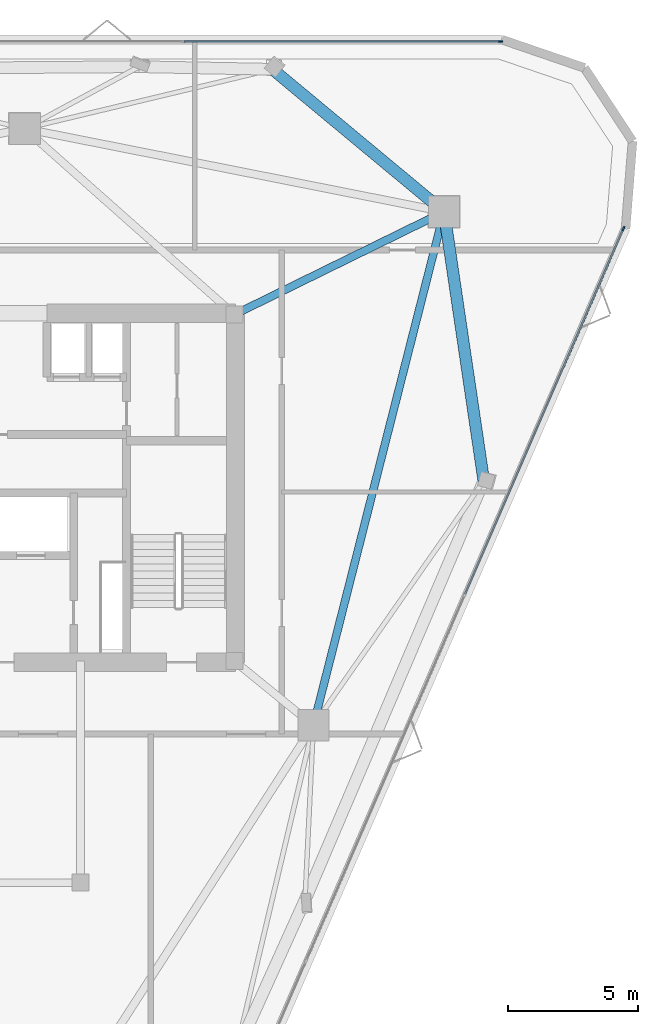
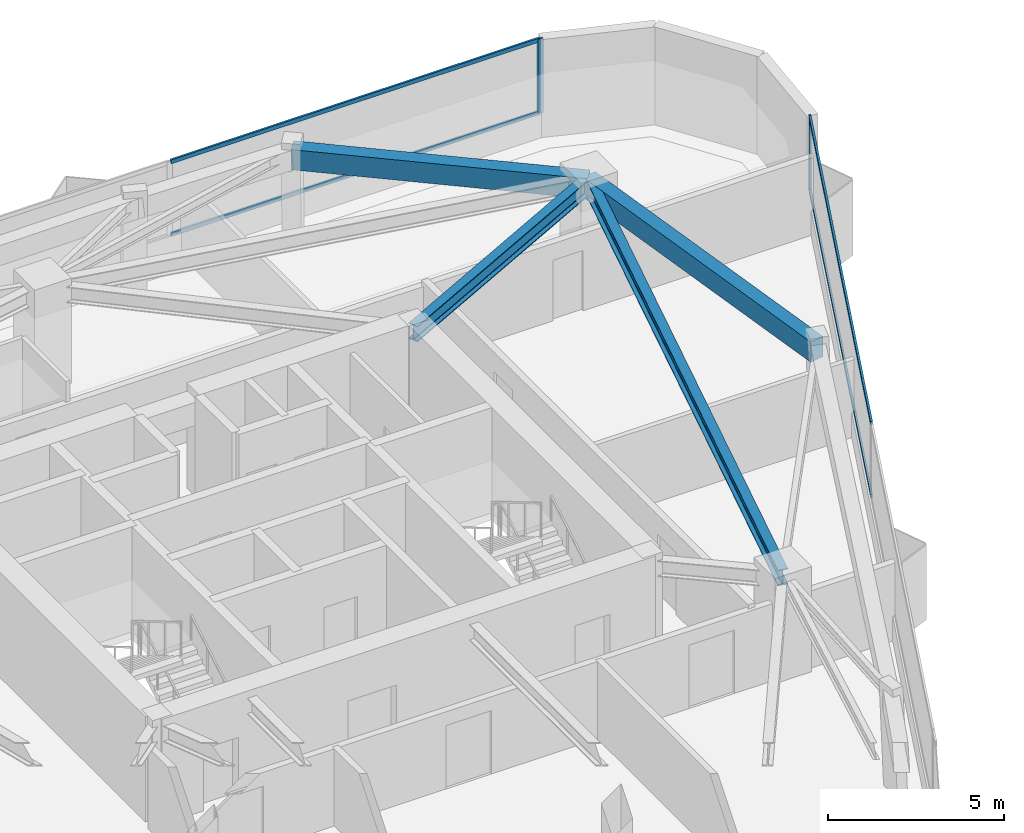
# One storey, part 7 of 12: 6 members, 4 beams, 2 elements without a shape of their own.
"""IFC4 building model written with IfcOpenShell, lengths in metres."""

from ifc_helpers import new_model, si_unit, direction, frame, origin, origin_2d, place, context, subcontext, project, spatial, rectangle, i_section, extrude, material, layer, layer_set, material_profile, profile_set, type_object, element, aggregate, save


model = new_model("IFC4")

# Units and contexts
model_context = context("Model", 3, precision=1e-05, world=origin(), true_north=direction((0.0, 1.0)))
body_context = subcontext(model_context, "Body", "Model", "MODEL_VIEW")
ifc_project = project(units=[si_unit("LENGTHUNIT", "METRE"), si_unit("AREAUNIT", "SQUARE_METRE"), si_unit("VOLUMEUNIT", "CUBIC_METRE"), si_unit("PLANEANGLEUNIT", "RADIAN"), si_unit("MASSUNIT", "GRAM", prefix="KILO")], contexts=[model_context])

# Site, building, storey
site_placement = place(None, origin())
site = spatial("IfcSite", under=ifc_project, at=site_placement, CompositionType="ELEMENT")
building_placement = place(site_placement, origin())
building = spatial("IfcBuilding", under=site, at=building_placement, Name="Talyreon Biosciences Tower", CompositionType="ELEMENT")
storey_placement = place(building_placement, frame((0.0, 0.0, 246.199951171875)))
storey = spatial("IfcBuildingStorey", under=building, at=storey_placement, Name="L65", CompositionType="ELEMENT", Elevation=246.199951171875)

# Curtain wall, member
ifc_material_1 = material(Name="Thermally broken aluminium and low-E glazing", Category="aluminium")
ifc_layer = layer(ifc_material_1, 0.175048828125)
ifc_layer_set = layer_set([ifc_layer], Name="Thermally broken aluminium and low-E glazing")
curtain_wall_type = type_object("IfcCurtainWallType", Name="CurtainWall_Zone5CompLab", PredefinedType="NOTDEFINED", material=ifc_layer_set)
curtain_wall_1_placement = place(storey_placement, origin())
curtain_wall_1 = element("IfcCurtainWall", 1, at=curtain_wall_1_placement, inside=storey, type_object=curtain_wall_type, Name="L65 Unitised Curtain Wall FCW-L65-04", PredefinedType="NOTDEFINED")
ifc_material_2 = material(Name="Anodised thermally broken aluminium", Category="aluminium")
ifc_material_profile_1 = material_profile(ifc_material_2, rectangle(XDim=0.06494140625, YDim=0.179931640625, at=origin_2d()), Name="ALUM MULLION 65x180")
ifc_profile_set_1 = profile_set([ifc_material_profile_1], Name="Anodised thermally broken aluminium")
member_type_1 = type_object("IfcMemberType", Name="CWMullion_65x180", PredefinedType="MULLION", material=ifc_profile_set_1)
member_1_placement = place(storey_placement, frame((84.271240234375, 85.1376953125, 0.81005859375), z_axis=(0.0, 0.0, 1.0), x_axis=(0.0, 1.0, 0.0)))
member_1 = element("IfcMember", 2, at=member_1_placement, type_object=member_type_1, Name="CW6 mullion 4", PredefinedType="MULLION", context=body_context, shape_type="SweptSolid", body=[
    extrude(rectangle(XDim=0.06494140625, YDim=0.179931640625, at=origin_2d()), origin(), (0.0, 0.0, 1.0), 2.590087890625),
])

curtain_wall_2_placement = place(storey_placement, origin())
curtain_wall_2 = element("IfcCurtainWall", 3, at=curtain_wall_2_placement, inside=storey, type_object=curtain_wall_type, Name="L65 Unitised Curtain Wall FCW-L65-08", PredefinedType="NOTDEFINED")
member_2_placement = place(storey_placement, frame((88.989013671875, 77.95263671875, 0.81005859375), z_axis=(0.0, 0.0, 1.0), x_axis=(0.91758594353, -0.397537465198, 0.0)))
member_2 = element("IfcMember", 4, at=member_2_placement, type_object=member_type_1, Name="CW6 mullion 1", PredefinedType="MULLION", context=body_context, shape_type="SweptSolid", body=[
    extrude(rectangle(XDim=0.06494140625, YDim=0.179931640625, at=origin_2d()), origin(), (0.0, 0.0, 1.0), 2.590087890625),
])

# Member
ifc_material_profile_2 = material_profile(ifc_material_2, rectangle(XDim=0.06494140625, YDim=0.139892578125, at=origin_2d()), Name="ALUM TRANSOM 65x140")
ifc_profile_set_2 = profile_set([ifc_material_profile_2], Name="Anodised thermally broken aluminium")
member_type_2 = type_object("IfcMemberType", Name="CWTransom_65x140", PredefinedType="USERDEFINED", material=ifc_profile_set_2)
member_3_placement = place(storey_placement, frame((72.1337890625, 85.1376953125, 0.842529296875), z_axis=(1.0, 0.0, 0.0), x_axis=(0.0, 1.0, 0.0)))
member_3 = element("IfcMember", 5, at=member_3_placement, type_object=member_type_2, Name="CW6 transom 3.1", ObjectType="TRANSOM", PredefinedType="USERDEFINED", context=body_context, shape_type="SweptSolid", body=[
    extrude(rectangle(XDim=0.06494140625, YDim=0.139892578125, at=origin_2d()), origin(), (0.0, 0.0, 1.0), 12.10498046875),
])

member_4_placement = place(storey_placement, frame((72.1337890625, 85.1376953125, 3.367431640625), z_axis=(1.0, 0.0, 0.0), x_axis=(0.0, 1.0, 0.0)))
member_4 = element("IfcMember", 6, at=member_4_placement, type_object=member_type_2, Name="CW6 transom 3.2", ObjectType="TRANSOM", PredefinedType="USERDEFINED", context=body_context, shape_type="SweptSolid", body=[
    extrude(rectangle(XDim=0.06494140625, YDim=0.139892578125, at=origin_2d()), origin(), (0.0, 0.0, 1.0), 12.10498046875),
])

aggregate(curtain_wall_1, [member_1, member_3, member_4])

member_5_placement = place(storey_placement, frame((88.97607421875, 77.9228515625, 0.842529296875), z_axis=(-0.397535103943, -0.917586966523, 0.0), x_axis=(0.917586966523, -0.397535103943, 0.0)))
member_5 = element("IfcMember", 7, at=member_5_placement, type_object=member_type_2, Name="CW6 transom 1.1", ObjectType="TRANSOM", PredefinedType="USERDEFINED", context=body_context, shape_type="SweptSolid", body=[
    extrude(rectangle(XDim=0.06494140625, YDim=0.139892578125, at=origin_2d()), origin(), (0.0, 0.0, 1.0), 15.250244140625),
])

member_6_placement = place(storey_placement, frame((88.97607421875, 77.9228515625, 3.367431640625), z_axis=(-0.397535103943, -0.917586966523, 0.0), x_axis=(0.917586966523, -0.397535103943, 0.0)))
member_6 = element("IfcMember", 8, at=member_6_placement, type_object=member_type_2, Name="CW6 transom 1.2", ObjectType="TRANSOM", PredefinedType="USERDEFINED", context=body_context, shape_type="SweptSolid", body=[
    extrude(rectangle(XDim=0.06494140625, YDim=0.139892578125, at=origin_2d()), origin(), (0.0, 0.0, 1.0), 15.250244140625),
])

aggregate(curtain_wall_2, [member_2, member_5, member_6])

# Beams
ifc_material_3 = material(Name="Precast concrete C45/55", Category="concrete")
ifc_material_profile_3 = material_profile(ifc_material_3, rectangle(XDim=0.449951171875, YDim=0.699951171875, at=origin_2d()), Name="RCB 450x700")
ifc_profile_set_3 = profile_set([ifc_material_profile_3], Name="Precast concrete C45/55")
beam_type_1 = type_object("IfcBeamType", Name="ExpressedSpandrel_450x700", PredefinedType="SPANDREL", material=ifc_profile_set_3)
beam_1_placement = place(storey_placement, frame((83.627197265625, 68.26806640625, 3.050048828125), z_axis=(-0.146028391904, 0.989280399461, 0.0), x_axis=(-0.989280399461, -0.146028391904, 0.0)))
element("IfcBeam", 9, at=beam_1_placement, inside=storey, type_object=beam_type_1, Name="L65 Expressed Horizontal Concrete Spandrel 04", PredefinedType="SPANDREL", context=body_context, shape_type="SweptSolid", body=[
    extrude(rectangle(XDim=0.449951171875, YDim=0.699951171875, at=origin_2d()), origin(), (0.0, 0.0, 1.0), 10.442626953125),
])
beam_2_placement = place(storey_placement, frame((82.102294921875, 78.5986328125, 3.050048828125), z_axis=(-0.769232646373, 0.638968806558, 0.0), x_axis=(-0.638968806558, -0.769232646373, 0.0)))
element("IfcBeam", 10, at=beam_2_placement, inside=storey, type_object=beam_type_1, Name="L65 Expressed Horizontal Concrete Spandrel 05", PredefinedType="SPANDREL", context=body_context, shape_type="SweptSolid", body=[
    extrude(rectangle(XDim=0.449951171875, YDim=0.699951171875, at=origin_2d()), origin(), (0.0, 0.0, 1.0), 8.5595703125),
])
ifc_material_4 = material(Name="Steel SM355", Category="steel")
ifc_material_profile_4 = material_profile(ifc_material_4, i_section(OverallWidth=0.300048828125, OverallDepth=0.550048828125, WebThickness=0.014892578125, FlangeThickness=0.029052734375, FilletRadius=0.027099609375, at=origin_2d()), Name="HE550B")
ifc_profile_set_4 = profile_set([ifc_material_profile_4], Name="Steel SM355")
beam_type_2 = type_object("IfcBeamType", Name="SteelBeam_HE550B", PredefinedType="BEAM", material=ifc_profile_set_4)
beam_3_placement = place(storey_placement, frame((77.086181640625, 58.88037109375, 3.125), z_axis=(0.246537082299, 0.969133358755, 0.0), x_axis=(-0.969133358755, 0.246537082299, 0.0)))
element("IfcBeam", 11, at=beam_3_placement, inside=storey, type_object=beam_type_2, Name="L65 Mega-Ring Girder 2", PredefinedType="BEAM", context=body_context, shape_type="SweptSolid", body=[
    extrude(i_section(OverallWidth=0.300048828125, OverallDepth=0.550048828125, WebThickness=0.014892578125, FlangeThickness=0.029052734375, FilletRadius=0.027099609375, at=origin_2d()), origin(), (0.0, 0.0, 1.0), 20.34619140625),
])
beam_4_placement = place(storey_placement, frame((74.050048828125, 74.64990234375, 3.125), z_axis=(0.897852360314, 0.440296648952, 0.0), x_axis=(-0.440296648952, 0.897852360314, 0.0)))
element("IfcBeam", 12, at=beam_4_placement, inside=storey, type_object=beam_type_2, Name="L65 Radial Primary Girder 3", PredefinedType="BEAM", context=body_context, shape_type="SweptSolid", body=[
    extrude(i_section(OverallWidth=0.300048828125, OverallDepth=0.550048828125, WebThickness=0.014892578125, FlangeThickness=0.029052734375, FilletRadius=0.027099609375, at=origin_2d()), origin(), (0.0, 0.0, 1.0), 8.96826171875),
])

save(model, "model.ifc")
